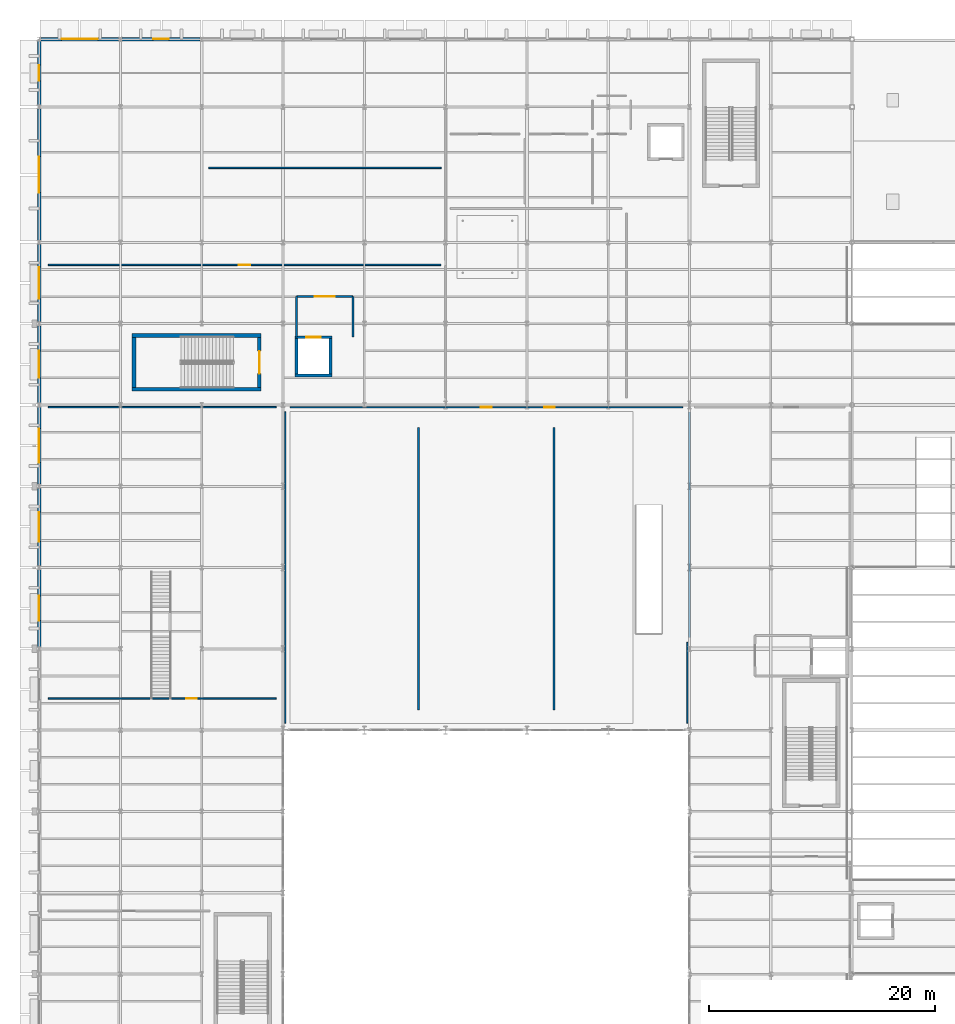
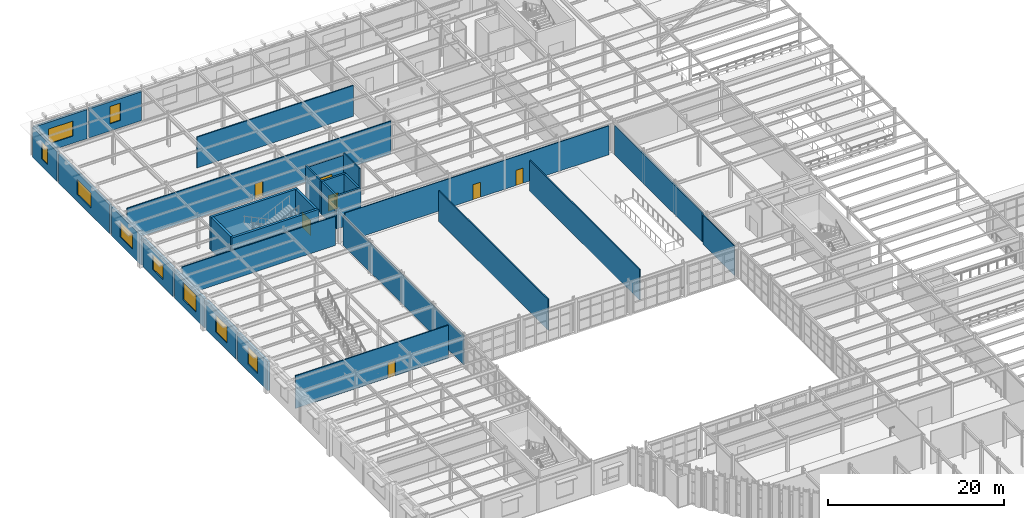
# One storey, part 106 of 126: 30 walls, 9 windows, 7 doors, 16 openings.
"""IFC4 building model written with IfcOpenShell, lengths in metres."""

import ifcopenshell
import ifcopenshell.guid

model = None  # the IFC model being written
_history = None  # IfcOwnerHistory: only IFC2X3 demands one
_inside = {}  # id of a spatial element -> (the spatial element, [elements in it])
_under = {}  # id of a project, library or spatial element -> (it, [spatial elements below it])
_declared = {}  # id of a project -> (the project, [libraries it declares])
_typed = {}  # id of a type object -> (the type object, [elements of that type])
_made_of = {}  # id of a material, layer set ... -> (it, [elements and type objects made of it])


def new_model(schema):
    """Start an empty IFC model of exactly this schema.

    Asked for "IFC4X3", IfcOpenShell would pick the latest addendum, in which some entities
    have other attributes; the version numbers below select the first issue.
    IFC2X3 requires an IfcOwnerHistory on every rooted entity: one is made here for all.
    """
    global model, _history
    if schema == "IFC4X3":
        model = ifcopenshell.file(schema_version=(4, 3, 0, 0))
    else:
        model = ifcopenshell.file(schema=schema)
    _inside.clear()
    _under.clear()
    _declared.clear()
    _typed.clear()
    _made_of.clear()
    _history = None
    if model.schema == "IFC2X3":
        org = make("IfcOrganization", Name="unknown")
        user = make(
            "IfcPersonAndOrganization",
            ThePerson=make("IfcPerson", FamilyName="unknown"),
            TheOrganization=org,
        )
        app = make(
            "IfcApplication",
            ApplicationDeveloper=org,
            Version="unknown",
            ApplicationFullName="unknown",
            ApplicationIdentifier="unknown",
        )
        _history = make(
            "IfcOwnerHistory",
            OwningUser=user,
            OwningApplication=app,
            ChangeAction="ADDED",
            CreationDate=0,
        )
    return model


def make(cls, **values):
    """One entity of the class cls with the attributes given. An attribute that is None is left unset."""
    return model.create_entity(
        cls, **{name: value for name, value in values.items() if value is not None}
    )


def rooted(cls, **values):
    """An entity with a GlobalId (a new one), such as an element, a storey or a relation."""
    return make(cls, GlobalId=ifcopenshell.guid.new(), OwnerHistory=_history, **values)


def si_unit(unit_type, name, prefix=None):
    """IfcSIUnit, for example si_unit("LENGTHUNIT", "METRE", prefix="MILLI")."""
    return make("IfcSIUnit", UnitType=unit_type, Prefix=prefix, Name=name)


def assignment(units):
    """IfcUnitAssignment: the units of a project."""
    return None if units is None else make("IfcUnitAssignment", Units=units)


def point(xyz):
    """IfcCartesianPoint."""
    return None if xyz is None else make("IfcCartesianPoint", Coordinates=xyz)


def direction(xyz):
    """IfcDirection."""
    return None if xyz is None else make("IfcDirection", DirectionRatios=xyz)


def frame(location, z_axis=None, x_axis=None):
    """IfcAxis2Placement3D, a coordinate frame: its origin and axes. An axis left out is left unset."""
    return make(
        "IfcAxis2Placement3D",
        Location=point(location),
        Axis=direction(z_axis),
        RefDirection=direction(x_axis),
    )


def frame_2d(location, x_axis=None):
    """IfcAxis2Placement2D, a coordinate frame in the plane: its origin and x axis."""
    return make(
        "IfcAxis2Placement2D", Location=point(location), RefDirection=direction(x_axis)
    )


def origin():
    """The frame at (0, 0, 0) with its axes left unset."""
    return frame((0.0, 0.0, 0.0))


def place(relative_to, where):
    """IfcLocalPlacement: puts the frame where relative to a parent placement (None: the world)."""
    return make(
        "IfcLocalPlacement", PlacementRelTo=relative_to, RelativePlacement=where
    )


def context(
    kind, dimensions, precision=None, world=None, true_north=None, identifier=None
):
    """IfcGeometricRepresentationContext, for example the 3D "Model" context."""
    return make(
        "IfcGeometricRepresentationContext",
        ContextIdentifier=identifier,
        ContextType=kind,
        CoordinateSpaceDimension=dimensions,
        Precision=precision,
        WorldCoordinateSystem=world,
        TrueNorth=true_north,
    )


def subcontext(parent, identifier, kind, view, scale=None):
    """IfcGeometricRepresentationSubContext, for example "Body" below "Model"."""
    return make(
        "IfcGeometricRepresentationSubContext",
        ContextIdentifier=identifier,
        ContextType=kind,
        ParentContext=parent,
        TargetScale=scale,
        TargetView=view,
    )


def project(units=None, contexts=None):
    """IfcProject with its units and contexts."""
    return rooted(
        "IfcProject",
        Name="project",
        RepresentationContexts=contexts,
        UnitsInContext=assignment(units),
    )


def spatial(cls, under=None, at=None, **own):
    """A site, building, storey or space (cls), placed at a placement, below another one or the project."""
    s = rooted(cls, ObjectPlacement=at, **own)
    if under is not None:
        _under.setdefault(under.id(), (under, []))[1].append(s)
    return s


def profile(cls, at=None, kind="AREA", **sizes):
    """A parametric profile (cls). Its sizes go by their IFC names, for example OverallWidth=200.0."""
    return make(cls, ProfileType=kind, Position=at, **sizes)


def rectangle(**sizes):
    """IfcRectangleProfileDef."""
    return profile("IfcRectangleProfileDef", **sizes)


def extrude(swept, where, along, depth):
    """IfcExtrudedAreaSolid: the profile swept, set in the frame where, extruded along a direction by depth."""
    return make(
        "IfcExtrudedAreaSolid",
        SweptArea=swept,
        Position=where,
        ExtrudedDirection=direction(along),
        Depth=depth,
    )


def shape(context_of_items, identifier, shape_type, items):
    """IfcShapeRepresentation: the items that make up one representation, for example the "Body"."""
    return make(
        "IfcShapeRepresentation",
        ContextOfItems=context_of_items,
        RepresentationIdentifier=identifier,
        RepresentationType=shape_type,
        Items=items,
    )


def material(Name=None, Category=None):
    """IfcMaterial."""
    return make("IfcMaterial", Name=Name, Category=Category)


def layer(
    of_material, thickness, ventilated=None, Name=None, Category=None, Priority=None
):
    """IfcMaterialLayer: one layer of a wall or slab, of a material (None: an air gap)."""
    return make(
        "IfcMaterialLayer",
        Material=of_material,
        LayerThickness=thickness,
        IsVentilated=ventilated,
        Name=Name,
        Category=Category,
        Priority=Priority,
    )


def layer_set(layers, Name=None):
    """IfcMaterialLayerSet."""
    return make("IfcMaterialLayerSet", MaterialLayers=layers, LayerSetName=Name)


def made_of(thing, what):
    """Note that an element or type object is made of a material, layer set ...; save() writes the relation."""
    if what is not None:
        _made_of.setdefault(what.id(), (what, []))[1].append(thing)
    return thing


def type_object(cls, material=None, **own):
    """A type object (cls), such as IfcWallType, which elements share."""
    return made_of(rooted(cls, **own), material)


def element(
    cls,
    number,
    at=None,
    inside=None,
    cuts=None,
    type_object=None,
    material=None,
    context=None,
    identifier="Body",
    shape_type=None,
    held_by="IfcProductDefinitionShape",
    body=None,
    shapes=None,
    **own,
):
    """One element of the class cls, such as IfcWall. Its Tag is "e" and its number.

    at: its placement. inside: the storey or other place that contains it. cuts: it is an
    opening in that element (IfcRelVoidsElement). A single representation is given by context,
    identifier, shape_type and body (its items); several are given by shapes. held_by: the class
    of the entity that holds the representations. save() writes the other relations.
    """
    e = rooted(cls, Tag="e%d" % number, ObjectPlacement=at, **own)
    if body is not None:
        shapes = [shape(context, identifier, shape_type, body)]
    if shapes is not None:
        e.Representation = make(held_by, Representations=shapes)
    if inside is not None:
        _inside.setdefault(inside.id(), (inside, []))[1].append(e)
    if cuts is not None:
        rooted(
            "IfcRelVoidsElement", RelatingBuildingElement=cuts, RelatedOpeningElement=e
        )
    if type_object is not None:
        _typed.setdefault(type_object.id(), (type_object, []))[1].append(e)
    return made_of(e, material)


def fill(opening, filler):
    """IfcRelFillsElement: the door or window that sits in an opening."""
    return rooted(
        "IfcRelFillsElement",
        RelatingOpeningElement=opening,
        RelatedBuildingElement=filler,
    )


def aggregate(whole, parts):
    """IfcRelAggregates: a whole, such as a stair, and the parts it consists of."""
    return rooted("IfcRelAggregates", RelatingObject=whole, RelatedObjects=parts)


def save(model, path):
    """Write the relations noted so far, then the file.

    IfcRelAggregates (storeys below a building ...), IfcRelContainedInSpatialStructure (elements
    in a storey), IfcRelDefinesByType, IfcRelAssociatesMaterial and IfcRelDeclares: one each for
    every whole, place, type object, material and project.
    """
    for whole, parts in _under.values():
        aggregate(whole, parts)
    for where, things in _inside.values():
        rooted(
            "IfcRelContainedInSpatialStructure",
            RelatedElements=things,
            RelatingStructure=where,
        )
    for kind, things in _typed.values():
        rooted("IfcRelDefinesByType", RelatedObjects=things, RelatingType=kind)
    for what, things in _made_of.values():
        rooted("IfcRelAssociatesMaterial", RelatedObjects=things, RelatingMaterial=what)
    for by, libraries in _declared.values():
        rooted("IfcRelDeclares", RelatingContext=by, RelatedDefinitions=libraries)
    model.write(path)


model = new_model("IFC4")

# Units and contexts
model_context = context("Model", 3, precision=1e-05, world=origin(), true_north=direction((0.0, 1.0)))
body_context = subcontext(model_context, "Body", "Model", "MODEL_VIEW")
ifc_project = project(units=[si_unit("LENGTHUNIT", "METRE"), si_unit("AREAUNIT", "SQUARE_METRE"), si_unit("VOLUMEUNIT", "CUBIC_METRE"), si_unit("PLANEANGLEUNIT", "RADIAN"), si_unit("MASSUNIT", "GRAM", prefix="KILO")], contexts=[model_context])

# Site, building, storey
site_placement = place(None, origin())
site = spatial("IfcSite", under=ifc_project, at=site_placement, CompositionType="ELEMENT")
building_placement = place(site_placement, origin())
building = spatial("IfcBuilding", under=site, at=building_placement, Name="Solvadek Multi-Sports Hall", CompositionType="ELEMENT")
storey_placement = place(building_placement, frame((0.0, 0.0, 9.60009765625)))
storey = spatial("IfcBuildingStorey", under=building, at=storey_placement, Name="L02", CompositionType="ELEMENT", Elevation=9.60009765625)

# Wall, opening, window
ifc_material_1 = material(Name="Dressed honey-cream limestone ashlar", Category="masonry")
ifc_layer_1 = layer(ifc_material_1, 0.300048828125, Name="Dressed honey-cream limestone ashlar")
ifc_layer_set_1 = layer_set([ifc_layer_1], Name="Dressed honey-cream limestone ashlar")
wall_type_1 = type_object("IfcWallType", Name="ENV-WAL-EXT300", PredefinedType="SOLIDWALL", material=ifc_layer_set_1)
wall_1_placement = place(storey_placement, frame((0.0, 56.583984375, 0.0), z_axis=(0.0, 0.0, 1.0), x_axis=(0.0, 1.0, 0.0)))
wall_1 = element("IfcWall", 1, at=wall_1_placement, inside=storey, type_object=wall_type_1, Name="L02 Exterior Masonry Wall #146", PredefinedType="SOLIDWALL", context=body_context, shape_type="SweptSolid", body=[
    extrude(rectangle(XDim=6.83203125, YDim=0.300048828125, at=frame_2d((3.416015625, 0.0))), origin(), (0.0, 0.0, 1.0), 4.044921875),
])
opening_1_placement = place(wall_1_placement, frame((2.31591796875, 0.0, 1.0)))
opening_1 = element("IfcOpeningElement", 2, at=opening_1_placement, cuts=wall_1, Name="Opening WN-18", PredefinedType="OPENING", context=body_context, shape_type="SweptSolid", body=[
    extrude(rectangle(XDim=2.199951171875, YDim=2.39990234375, at=frame_2d((1.10009765625, 1.199951171875))), frame((0.0, 0.159912109375, 0.0), z_axis=(0.0, -1.0, 0.0), x_axis=(1.0, 0.0, 0.0)), (0.0, 0.0, 1.0), 0.320068359375),
])
ifc_material_2 = material(Name="Tempered laminated low-E glass", Category="glass")
window_type_1 = type_object("IfcWindowType", Name="ENV-WIN-WN-18", PartitioningType="SINGLE_PANEL", PredefinedType="WINDOW", material=ifc_material_2)
window_1_placement = place(opening_1_placement, origin())
window_1 = element("IfcWindow", 3, at=window_1_placement, inside=storey, type_object=window_type_1, Name="L02 Facade Window WN-18 #35", OverallHeight=2.39990234375, OverallWidth=2.199951171875, PartitioningType="SINGLE_PANEL", PredefinedType="WINDOW", context=body_context, shape_type="SweptSolid", body=[
    extrude(rectangle(XDim=2.199951171875, YDim=2.39990234375, at=frame_2d((1.10009765625, 1.199951171875))), frame((0.0, 0.030029296875, 0.0), z_axis=(0.0, -1.0, 0.0), x_axis=(1.0, 0.0, 0.0)), (0.0, 0.0, 1.0), 0.06005859375),
])
fill(opening_1, window_1)

wall_2_placement = place(storey_placement, frame((0.0, 63.783935546875, 0.0), z_axis=(0.0, 0.0, 1.0), x_axis=(0.0, 1.0, 0.0)))
wall_2 = element("IfcWall", 4, at=wall_2_placement, inside=storey, type_object=wall_type_1, Name="L02 Exterior Masonry Wall #149", PredefinedType="SOLIDWALL", context=body_context, shape_type="SweptSolid", body=[
    extrude(rectangle(XDim=6.83203125, YDim=0.300048828125, at=frame_2d((3.416015625, 0.0))), origin(), (0.0, 0.0, 1.0), 4.14501953125),
])
opening_2_placement = place(wall_2_placement, frame((2.115966796875, 0.0, 1.0)))
opening_2 = element("IfcOpeningElement", 5, at=opening_2_placement, cuts=wall_2, Name="Opening WN-19", PredefinedType="OPENING", context=body_context, shape_type="SweptSolid", body=[
    extrude(rectangle(XDim=2.60009765625, YDim=2.39990234375, at=frame_2d((1.300048828125, 1.199951171875))), frame((0.0, 0.159912109375, 0.0), z_axis=(0.0, -1.0, 0.0), x_axis=(1.0, 0.0, 0.0)), (0.0, 0.0, 1.0), 0.320068359375),
])
window_type_2 = type_object("IfcWindowType", Name="ENV-WIN-WN-19", PartitioningType="SINGLE_PANEL", PredefinedType="WINDOW", material=ifc_material_2)
window_2_placement = place(opening_2_placement, origin())
window_2 = element("IfcWindow", 6, at=window_2_placement, inside=storey, type_object=window_type_2, Name="L02 Facade Window WN-19 #38", OverallHeight=2.39990234375, OverallWidth=2.60009765625, PartitioningType="SINGLE_PANEL", PredefinedType="WINDOW", context=body_context, shape_type="SweptSolid", body=[
    extrude(rectangle(XDim=2.60009765625, YDim=2.39990234375, at=frame_2d((1.300048828125, 1.199951171875))), frame((0.0, 0.030029296875, 0.0), z_axis=(0.0, -1.0, 0.0), x_axis=(1.0, 0.0, 0.0)), (0.0, 0.0, 1.0), 0.06005859375),
])
fill(opening_2, window_2)

wall_3_placement = place(storey_placement, frame((0.0, 70.98388671875, 0.0), z_axis=(0.0, 0.0, 1.0), x_axis=(0.0, 1.0, 0.0)))
wall_3 = element("IfcWall", 7, at=wall_3_placement, inside=storey, type_object=wall_type_1, Name="L02 Exterior Masonry Wall #152", PredefinedType="SOLIDWALL", context=body_context, shape_type="SweptSolid", body=[
    extrude(rectangle(XDim=6.83203125, YDim=0.300048828125, at=frame_2d((3.416015625, 0.0))), origin(), (0.0, 0.0, 1.0), 4.044921875),
])
opening_3_placement = place(wall_3_placement, frame((1.916015625, 0.0, 1.0)))
opening_3 = element("IfcOpeningElement", 8, at=opening_3_placement, cuts=wall_3, Name="Opening WN-20", PredefinedType="OPENING", context=body_context, shape_type="SweptSolid", body=[
    extrude(rectangle(XDim=3.0, YDim=2.39990234375, at=frame_2d((1.5, 1.199951171875))), frame((0.0, 0.159912109375, 0.0), z_axis=(0.0, -1.0, 0.0), x_axis=(1.0, 0.0, 0.0)), (0.0, 0.0, 1.0), 0.320068359375),
])
window_type_3 = type_object("IfcWindowType", Name="ENV-WIN-WN-20", PartitioningType="SINGLE_PANEL", PredefinedType="WINDOW", material=ifc_material_2)
window_3_placement = place(opening_3_placement, origin())
window_3 = element("IfcWindow", 9, at=window_3_placement, inside=storey, type_object=window_type_3, Name="L02 Facade Window WN-20 #41", OverallHeight=2.39990234375, OverallWidth=3.0, PartitioningType="SINGLE_PANEL", PredefinedType="WINDOW", context=body_context, shape_type="SweptSolid", body=[
    extrude(rectangle(XDim=3.0, YDim=2.39990234375, at=frame_2d((1.5, 1.199951171875))), frame((0.0, 0.030029296875, 0.0), z_axis=(0.0, -1.0, 0.0), x_axis=(1.0, 0.0, 0.0)), (0.0, 0.0, 1.0), 0.06005859375),
])
fill(opening_3, window_3)

wall_4_placement = place(storey_placement, frame((0.0, 78.18408203125, 0.0), z_axis=(0.0, 0.0, 1.0), x_axis=(0.0, 1.0, 0.0)))
wall_4 = element("IfcWall", 10, at=wall_4_placement, inside=storey, type_object=wall_type_1, Name="L02 Exterior Masonry Wall #155", PredefinedType="SOLIDWALL", context=body_context, shape_type="SweptSolid", body=[
    extrude(rectangle(XDim=6.83203125, YDim=0.300048828125, at=frame_2d((3.416015625, 0.0))), origin(), (0.0, 0.0, 1.0), 4.044921875),
])
opening_4_placement = place(wall_4_placement, frame((2.216064453125, 0.0, 1.0)))
opening_4 = element("IfcOpeningElement", 11, at=opening_4_placement, cuts=wall_4, Name="Opening WN-13", PredefinedType="OPENING", context=body_context, shape_type="SweptSolid", body=[
    extrude(rectangle(XDim=2.39990234375, YDim=2.10009765625, at=frame_2d((1.199951171875, 1.050048828125))), frame((0.0, 0.159912109375, 0.0), z_axis=(0.0, -1.0, 0.0), x_axis=(1.0, 0.0, 0.0)), (0.0, 0.0, 1.0), 0.320068359375),
])
window_type_4 = type_object("IfcWindowType", Name="ENV-WIN-WN-13", PartitioningType="SINGLE_PANEL", PredefinedType="WINDOW", material=ifc_material_2)
window_4_placement = place(opening_4_placement, origin())
window_4 = element("IfcWindow", 12, at=window_4_placement, inside=storey, type_object=window_type_4, Name="L02 Facade Window WN-13 #44", OverallHeight=2.10009765625, OverallWidth=2.39990234375, PartitioningType="SINGLE_PANEL", PredefinedType="WINDOW", context=body_context, shape_type="SweptSolid", body=[
    extrude(rectangle(XDim=2.39990234375, YDim=2.10009765625, at=frame_2d((1.199951171875, 1.050048828125))), frame((0.0, 0.030029296875, 0.0), z_axis=(0.0, -1.0, 0.0), x_axis=(1.0, 0.0, 0.0)), (0.0, 0.0, 1.0), 0.06005859375),
])
fill(opening_4, window_4)

wall_5_placement = place(storey_placement, frame((0.0, 85.384033203125, 0.0), z_axis=(0.0, 0.0, 1.0), x_axis=(0.0, 1.0, 0.0)))
wall_5 = element("IfcWall", 13, at=wall_5_placement, inside=storey, type_object=wall_type_1, Name="L02 Exterior Masonry Wall #158", PredefinedType="SOLIDWALL", context=body_context, shape_type="SweptSolid", body=[
    extrude(rectangle(XDim=6.83203125, YDim=0.300048828125, at=frame_2d((3.416015625, 0.0))), origin(), (0.0, 0.0, 1.0), 4.044921875),
])
opening_5_placement = place(wall_5_placement, frame((2.01611328125, 0.0, 1.0)))
opening_5 = element("IfcOpeningElement", 14, at=opening_5_placement, cuts=wall_5, Name="Opening WN-14", PredefinedType="OPENING", context=body_context, shape_type="SweptSolid", body=[
    extrude(rectangle(XDim=2.800048828125, YDim=2.10009765625, at=frame_2d((1.39990234375, 1.050048828125))), frame((0.0, 0.159912109375, 0.0), z_axis=(0.0, -1.0, 0.0), x_axis=(1.0, 0.0, 0.0)), (0.0, 0.0, 1.0), 0.320068359375),
])
window_type_5 = type_object("IfcWindowType", Name="ENV-WIN-WN-14", PartitioningType="SINGLE_PANEL", PredefinedType="WINDOW", material=ifc_material_2)
window_5_placement = place(opening_5_placement, origin())
window_5 = element("IfcWindow", 15, at=window_5_placement, inside=storey, type_object=window_type_5, Name="L02 Facade Window WN-14 #47", OverallHeight=2.10009765625, OverallWidth=2.800048828125, PartitioningType="SINGLE_PANEL", PredefinedType="WINDOW", context=body_context, shape_type="SweptSolid", body=[
    extrude(rectangle(XDim=2.800048828125, YDim=2.10009765625, at=frame_2d((1.39990234375, 1.050048828125))), frame((0.0, 0.030029296875, 0.0), z_axis=(0.0, -1.0, 0.0), x_axis=(1.0, 0.0, 0.0)), (0.0, 0.0, 1.0), 0.06005859375),
])
fill(opening_5, window_5)

wall_6_placement = place(storey_placement, frame((0.0, 92.583984375, 0.0), z_axis=(0.0, 0.0, 1.0), x_axis=(0.0, 1.0, 0.0)))
wall_6 = element("IfcWall", 16, at=wall_6_placement, inside=storey, type_object=wall_type_1, Name="L02 Exterior Masonry Wall #161", PredefinedType="SOLIDWALL", context=body_context, shape_type="SweptSolid", body=[
    extrude(rectangle(XDim=11.632080078125, YDim=0.300048828125, at=frame_2d((5.81591796875, 0.0))), origin(), (0.0, 0.0, 1.0), 4.044921875),
])
opening_6_placement = place(wall_6_placement, frame((4.216064453125, 0.0, 1.0)))
opening_6 = element("IfcOpeningElement", 17, at=opening_6_placement, cuts=wall_6, Name="Opening WN-15", PredefinedType="OPENING", context=body_context, shape_type="SweptSolid", body=[
    extrude(rectangle(XDim=3.199951171875, YDim=2.10009765625, at=frame_2d((1.60009765625, 1.050048828125))), frame((0.0, 0.159912109375, 0.0), z_axis=(0.0, -1.0, 0.0), x_axis=(1.0, 0.0, 0.0)), (0.0, 0.0, 1.0), 0.320068359375),
])
window_type_6 = type_object("IfcWindowType", Name="ENV-WIN-WN-15", PartitioningType="SINGLE_PANEL", PredefinedType="WINDOW", material=ifc_material_2)
window_6_placement = place(opening_6_placement, origin())
window_6 = element("IfcWindow", 18, at=window_6_placement, inside=storey, type_object=window_type_6, Name="L02 Facade Window WN-15 #49", OverallHeight=2.10009765625, OverallWidth=3.199951171875, PartitioningType="SINGLE_PANEL", PredefinedType="WINDOW", context=body_context, shape_type="SweptSolid", body=[
    extrude(rectangle(XDim=3.199951171875, YDim=2.10009765625, at=frame_2d((1.60009765625, 1.050048828125))), frame((0.0, 0.030029296875, 0.0), z_axis=(0.0, -1.0, 0.0), x_axis=(1.0, 0.0, 0.0)), (0.0, 0.0, 1.0), 0.06005859375),
])
fill(opening_6, window_6)

wall_7_placement = place(storey_placement, frame((0.0, 104.583984375, 0.0), z_axis=(0.0, 0.0, 1.0), x_axis=(0.0, 1.0, 0.0)))
wall_7 = element("IfcWall", 19, at=wall_7_placement, inside=storey, type_object=wall_type_1, Name="L02 Exterior Masonry Wall #164", PredefinedType="SOLIDWALL", context=body_context, shape_type="SweptSolid", body=[
    extrude(rectangle(XDim=5.632080078125, YDim=0.300048828125, at=frame_2d((2.81591796875, 0.0))), origin(), (0.0, 0.0, 1.0), 4.14501953125),
])
opening_7_placement = place(wall_7_placement, frame((2.115966796875, 0.0, 1.0)))
opening_7 = element("IfcOpeningElement", 20, at=opening_7_placement, cuts=wall_7, Name="Opening WN-16", PredefinedType="OPENING", context=body_context, shape_type="SweptSolid", body=[
    extrude(rectangle(XDim=1.39990234375, YDim=2.39990234375, at=frame_2d((0.699951171875, 1.199951171875))), frame((0.0, 0.159912109375, 0.0), z_axis=(0.0, -1.0, 0.0), x_axis=(1.0, 0.0, 0.0)), (0.0, 0.0, 1.0), 0.320068359375),
])
window_type_7 = type_object("IfcWindowType", Name="ENV-WIN-WN-16", PartitioningType="SINGLE_PANEL", PredefinedType="WINDOW", material=ifc_material_2)
window_7_placement = place(opening_7_placement, origin())
window_7 = element("IfcWindow", 21, at=window_7_placement, inside=storey, type_object=window_type_7, Name="L02 Facade Window WN-16 #52", OverallHeight=2.39990234375, OverallWidth=1.39990234375, PartitioningType="SINGLE_PANEL", PredefinedType="WINDOW", context=body_context, shape_type="SweptSolid", body=[
    extrude(rectangle(XDim=1.39990234375, YDim=2.39990234375, at=frame_2d((0.699951171875, 1.199951171875))), frame((0.0, 0.030029296875, 0.0), z_axis=(0.0, -1.0, 0.0), x_axis=(1.0, 0.0, 0.0)), (0.0, 0.0, 1.0), 0.06005859375),
])
fill(opening_7, window_7)

wall_8_placement = place(storey_placement, frame((0.154052734375, 110.39990234375, 0.0), z_axis=(0.0, 0.0, 1.0), x_axis=(1.0, 0.0, 0.0)))
wall_8 = element("IfcWall", 22, at=wall_8_placement, inside=storey, type_object=wall_type_1, Name="L02 Exterior Masonry Wall #167", PredefinedType="SOLIDWALL", context=body_context, shape_type="SweptSolid", body=[
    extrude(rectangle(XDim=6.891845703125, YDim=0.300048828125, at=frame_2d((3.44580078125, 0.0))), origin(), (0.0, 0.0, 1.0), 4.044921875),
])
opening_8_placement = place(wall_8_placement, frame((1.845947265625, 0.0, 1.0)))
opening_8 = element("IfcOpeningElement", 23, at=opening_8_placement, cuts=wall_8, Name="Opening WN-15", PredefinedType="OPENING", context=body_context, shape_type="SweptSolid", body=[
    extrude(rectangle(XDim=3.199951171875, YDim=2.10009765625, at=frame_2d((1.60009765625, 1.050048828125))), frame((0.0, 0.159912109375, 0.0), z_axis=(0.0, -1.0, 0.0), x_axis=(1.0, 0.0, 0.0)), (0.0, 0.0, 1.0), 0.320068359375),
])
window_8_placement = place(opening_8_placement, origin())
window_8 = element("IfcWindow", 24, at=window_8_placement, inside=storey, type_object=window_type_6, Name="L02 Facade Window WN-15 #54", OverallHeight=2.10009765625, OverallWidth=3.199951171875, PartitioningType="SINGLE_PANEL", PredefinedType="WINDOW", context=body_context, shape_type="SweptSolid", body=[
    extrude(rectangle(XDim=3.199951171875, YDim=2.10009765625, at=frame_2d((1.60009765625, 1.050048828125))), frame((0.0, 0.030029296875, 0.0), z_axis=(0.0, -1.0, 0.0), x_axis=(1.0, 0.0, 0.0)), (0.0, 0.0, 1.0), 0.06005859375),
])
fill(opening_8, window_8)

wall_9_placement = place(storey_placement, frame((7.35400390625, 110.39990234375, 0.0), z_axis=(0.0, 0.0, 1.0), x_axis=(1.0, 0.0, 0.0)))
wall_9 = element("IfcWall", 25, at=wall_9_placement, inside=storey, type_object=wall_type_1, Name="L02 Exterior Masonry Wall #170", PredefinedType="SOLIDWALL", context=body_context, shape_type="SweptSolid", body=[
    extrude(rectangle(XDim=6.89208984375, YDim=0.300048828125, at=frame_2d((3.446044921875, 0.0))), origin(), (0.0, 0.0, 1.0), 4.044921875),
])
opening_9_placement = place(wall_9_placement, frame((2.74609375, 0.0, 1.0)))
opening_9 = element("IfcOpeningElement", 26, at=opening_9_placement, cuts=wall_9, Name="Opening WN-16", PredefinedType="OPENING", context=body_context, shape_type="SweptSolid", body=[
    extrude(rectangle(XDim=1.39990234375, YDim=2.39990234375, at=frame_2d((0.699951171875, 1.199951171875))), frame((0.0, 0.159912109375, 0.0), z_axis=(0.0, -1.0, 0.0), x_axis=(1.0, 0.0, 0.0)), (0.0, 0.0, 1.0), 0.320068359375),
])
window_9_placement = place(opening_9_placement, origin())
window_9 = element("IfcWindow", 27, at=window_9_placement, inside=storey, type_object=window_type_7, Name="L02 Facade Window WN-16 #57", OverallHeight=2.39990234375, OverallWidth=1.39990234375, PartitioningType="SINGLE_PANEL", PredefinedType="WINDOW", context=body_context, shape_type="SweptSolid", body=[
    extrude(rectangle(XDim=1.39990234375, YDim=2.39990234375, at=frame_2d((0.699951171875, 1.199951171875))), frame((0.0, 0.030029296875, 0.0), z_axis=(0.0, -1.0, 0.0), x_axis=(1.0, 0.0, 0.0)), (0.0, 0.0, 1.0), 0.06005859375),
])
fill(opening_9, window_9)

# Walls
ifc_material_3 = material(Name="Teak hardwood timber", Category="wood")
ifc_layer_2 = layer(ifc_material_3, 0.14990234375, Name="Teak hardwood timber")
ifc_layer_set_2 = layer_set([ifc_layer_2], Name="Teak hardwood timber")
wall_type_2 = type_object("IfcWallType", Name="INT-WAL-MOV150", PredefinedType="MOVABLE", material=ifc_layer_set_2)
wall_10_placement = place(storey_placement, frame((15.0, 99.0, 0.0), z_axis=(0.0, 0.0, 1.0), x_axis=(1.0, 0.0, 0.0)))
element("IfcWall", 28, at=wall_10_placement, inside=storey, type_object=wall_type_2, Name="L02 Movable Acoustic Hall Partition #3", PredefinedType="MOVABLE", context=body_context, shape_type="SweptSolid", body=[
    extrude(rectangle(XDim=20.60009765625, YDim=0.14990234375, at=frame_2d((10.300048828125, 0.0))), origin(), (0.0, 0.0, 1.0), 4.284912109375),
])
for number, where, z_axis, x_axis, name in (
    (29, (33.60009765625, 51.0, 0.0), (0.0, 0.0, 1.0), (0.0, 1.0, 0.0), "L02 Movable Acoustic Hall Partition #4"),
    (30, (45.60009765625, 51.0, 0.0), (0.0, 0.0, 1.0), (0.0, 1.0, 0.0), "L02 Movable Acoustic Hall Partition #5"),
):
    element("IfcWall", number, at=place(storey_placement, frame(where, z_axis=z_axis, x_axis=x_axis)), inside=storey, type_object=wall_type_2, Name=name, PredefinedType="MOVABLE", context=body_context, shape_type="SweptSolid", body=[
        extrude(rectangle(XDim=25.0, YDim=0.14990234375, at=frame_2d((12.5, 0.0))), origin(), (0.0, 0.0, 1.0), 4.284912109375),
    ])

# Wall, openings, doors
ifc_material_4 = material(Name="Autoclaved aerated concrete blockwork", Category="masonry")
ifc_layer_3 = layer(ifc_material_4, 0.10498046875, Name="Autoclaved aerated concrete blockwork")
ifc_layer_set_3 = layer_set([ifc_layer_3], Name="Autoclaved aerated concrete blockwork")
wall_type_3 = type_object("IfcWallType", Name="INT-WAL-PRT105", PredefinedType="PARTITIONING", material=ifc_layer_set_3)
wall_11_placement = place(storey_placement, frame((22.219970703125, 77.800048828125, 0.0), z_axis=(0.0, 0.0, 1.0), x_axis=(1.0, 0.0, 0.0)))
wall_11 = element("IfcWall", 31, at=wall_11_placement, inside=storey, type_object=wall_type_3, Name="L02 Partition Wall L02-01 N", PredefinedType="PARTITIONING", context=body_context, shape_type="SweptSolid", body=[
    extrude(rectangle(XDim=34.760009765625, YDim=0.10498046875, at=frame_2d((17.3798828125, 0.0))), origin(), (0.0, 0.0, 1.0), 4.039794921875),
])
opening_10_placement = place(wall_11_placement, frame((16.8798828125, 0.0, 0.0)))
opening_10 = element("IfcOpeningElement", 32, at=opening_10_placement, cuts=wall_11, Name="Opening D-01", PredefinedType="OPENING", context=body_context, shape_type="SweptSolid", body=[
    extrude(rectangle(XDim=1.0, YDim=2.10009765625, at=frame_2d((0.5, 1.050048828125))), frame((0.0, 0.0625, 0.0), z_axis=(0.0, -1.0, 0.0), x_axis=(1.0, 0.0, 0.0)), (0.0, 0.0, 1.0), 0.125),
])
opening_11_placement = place(wall_11_placement, frame((22.5048828125, 0.0, 0.0)))
opening_11 = element("IfcOpeningElement", 33, at=opening_11_placement, cuts=wall_11, Name="Opening D-02", PredefinedType="OPENING", context=body_context, shape_type="SweptSolid", body=[
    extrude(rectangle(XDim=0.949951171875, YDim=2.10009765625, at=frame_2d((0.47509765625, 1.050048828125))), frame((0.0, 0.0625, 0.0), z_axis=(0.0, -1.0, 0.0), x_axis=(1.0, 0.0, 0.0)), (0.0, 0.0, 1.0), 0.125),
])
door_type_1 = type_object("IfcDoorType", Name="INT-DOR-RM095X210", OperationType="NOTDEFINED", PredefinedType="DOOR", material=ifc_material_3)
door_1_placement = place(opening_11_placement, origin())
door_1 = element("IfcDoor", 34, at=door_1_placement, inside=storey, type_object=door_type_1, Name="L02 L02-08 Door #53", OperationType="SINGLE_SWING_RIGHT", OverallHeight=2.10009765625, OverallWidth=0.949951171875, PredefinedType="DOOR", context=body_context, shape_type="SweptSolid", body=[
    extrude(rectangle(XDim=0.949951171875, YDim=2.10009765625, at=frame_2d((0.47509765625, 1.050048828125))), frame((0.0, 0.02490234375, 0.0), z_axis=(0.0, -1.0, 0.0), x_axis=(1.0, 0.0, 0.0)), (0.0, 0.0, 1.0), 0.050048828125),
])
fill(opening_11, door_1)
door_type_2 = type_object("IfcDoorType", Name="INT-DOR-RM100X210", OperationType="NOTDEFINED", PredefinedType="DOOR", material=ifc_material_3)
door_2_placement = place(opening_10_placement, frame((1.0, 0.0, 0.0), z_axis=(0.0, 0.0, 1.0), x_axis=(-1.0, 0.0, 0.0)))
door_2 = element("IfcDoor", 35, at=door_2_placement, inside=storey, type_object=door_type_2, Name="L02 L02-01 Door #48", OperationType="SINGLE_SWING_LEFT", OverallHeight=2.10009765625, OverallWidth=1.0, PredefinedType="DOOR", context=body_context, shape_type="SweptSolid", body=[
    extrude(rectangle(XDim=1.0, YDim=2.10009765625, at=frame_2d((0.5, 1.050048828125))), frame((0.0, 0.02490234375, 0.0), z_axis=(0.0, -1.0, 0.0), x_axis=(1.0, 0.0, 0.0)), (0.0, 0.0, 1.0), 0.050048828125),
])
fill(opening_10, door_2)

# Walls
wall_12_placement = place(storey_placement, frame((21.800048828125, 49.820068359375, 0.0), z_axis=(0.0, 0.0, 1.0), x_axis=(0.0, 1.0, 0.0)))
element("IfcWall", 36, at=wall_12_placement, inside=storey, type_object=wall_type_3, Name="L02 Partition Wall L02-01 W", PredefinedType="PARTITIONING", context=body_context, shape_type="SweptSolid", body=[
    extrude(rectangle(XDim=27.559814453125, YDim=0.10498046875, at=frame_2d((13.77978515625, 0.0))), origin(), (0.0, 0.0, 1.0), 4.08984375),
])
wall_13_placement = place(storey_placement, frame((57.39990234375, 49.820068359375, 0.0), z_axis=(0.0, 0.0, 1.0), x_axis=(0.0, 1.0, 0.0)))
element("IfcWall", 37, at=wall_13_placement, inside=storey, type_object=wall_type_3, Name="L02 Partition Wall L02-01 E", PredefinedType="PARTITIONING", context=body_context, shape_type="SweptSolid", body=[
    extrude(rectangle(XDim=7.164306640625, YDim=0.10498046875, at=frame_2d((3.58203125, 0.0))), origin(), (0.0, 0.0, 1.0), 4.08984375),
])

# Wall, opening, door
ifc_layer_4 = layer(ifc_material_4, 0.135009765625, Name="Autoclaved aerated concrete blockwork")
ifc_layer_set_4 = layer_set([ifc_layer_4], Name="Autoclaved aerated concrete blockwork")
wall_type_4 = type_object("IfcWallType", Name="INT-WAL-PRT135", PredefinedType="PARTITIONING", material=ifc_layer_set_4)
wall_14_placement = place(storey_placement, frame((0.820068359375, 52.0, 0.0), z_axis=(0.0, 0.0, 1.0), x_axis=(1.0, 0.0, 0.0)))
wall_14 = element("IfcWall", 38, at=wall_14_placement, inside=storey, type_object=wall_type_4, Name="L02 Partition Wall L02-03 N", PredefinedType="PARTITIONING", context=body_context, shape_type="SweptSolid", body=[
    extrude(rectangle(XDim=20.159912109375, YDim=0.135009765625, at=frame_2d((10.080078125, 0.0))), origin(), (0.0, 0.0, 1.0), 4.544921875),
])
opening_12_placement = place(wall_14_placement, frame((12.205078125, 0.0, 0.0)))
opening_12 = element("IfcOpeningElement", 39, at=opening_12_placement, cuts=wall_14, Name="Opening D-02", PredefinedType="OPENING", context=body_context, shape_type="SweptSolid", body=[
    extrude(rectangle(XDim=0.949951171875, YDim=2.10009765625, at=frame_2d((0.47509765625, 1.050048828125))), frame((0.0, 0.077392578125, 0.0), z_axis=(0.0, -1.0, 0.0), x_axis=(1.0, 0.0, 0.0)), (0.0, 0.0, 1.0), 0.155029296875),
])
door_3_placement = place(opening_12_placement, origin())
door_3 = element("IfcDoor", 40, at=door_3_placement, inside=storey, type_object=door_type_1, Name="L02 L02-04 Door #51", OperationType="SINGLE_SWING_RIGHT", OverallHeight=2.10009765625, OverallWidth=0.949951171875, PredefinedType="DOOR", context=body_context, shape_type="SweptSolid", body=[
    extrude(rectangle(XDim=0.949951171875, YDim=2.10009765625, at=frame_2d((0.47509765625, 1.050048828125))), frame((0.0, 0.02490234375, 0.0), z_axis=(0.0, -1.0, 0.0), x_axis=(1.0, 0.0, 0.0)), (0.0, 0.0, 1.0), 0.050048828125),
])
fill(opening_12, door_3)

# Wall
wall_15_placement = place(storey_placement, frame((0.820068359375, 77.800048828125, 0.0), z_axis=(0.0, 0.0, 1.0), x_axis=(1.0, 0.0, 0.0)))
element("IfcWall", 41, at=wall_15_placement, inside=storey, type_object=wall_type_4, Name="L02 Partition Wall L02-04 N", PredefinedType="PARTITIONING", context=body_context, shape_type="SweptSolid", body=[
    extrude(rectangle(XDim=20.159912109375, YDim=0.135009765625, at=frame_2d((10.080078125, 0.0))), origin(), (0.0, 0.0, 1.0), 4.039794921875),
])

# Wall, opening, door
wall_16_placement = place(storey_placement, frame((0.820068359375, 90.39990234375, 0.0), z_axis=(0.0, 0.0, 1.0), x_axis=(1.0, 0.0, 0.0)))
wall_16 = element("IfcWall", 42, at=wall_16_placement, inside=storey, type_object=wall_type_4, Name="L02 Partition Wall L02-07 S", PredefinedType="PARTITIONING", context=body_context, shape_type="SweptSolid", body=[
    extrude(rectangle(XDim=34.760009765625, YDim=0.135009765625, at=frame_2d((17.3798828125, 0.0))), origin(), (0.0, 0.0, 1.0), 4.544921875),
])
opening_13_placement = place(wall_16_placement, frame((16.8798828125, 0.0, 0.0)))
opening_13 = element("IfcOpeningElement", 43, at=opening_13_placement, cuts=wall_16, Name="Opening D-01", PredefinedType="OPENING", context=body_context, shape_type="SweptSolid", body=[
    extrude(rectangle(XDim=1.0, YDim=2.10009765625, at=frame_2d((0.5, 1.050048828125))), frame((0.0, 0.077392578125, 0.0), z_axis=(0.0, -1.0, 0.0), x_axis=(1.0, 0.0, 0.0)), (0.0, 0.0, 1.0), 0.155029296875),
])
door_4_placement = place(opening_13_placement, origin())
door_4 = element("IfcDoor", 44, at=door_4_placement, inside=storey, type_object=door_type_2, Name="L02 L02-07 Door #52", OperationType="SINGLE_SWING_LEFT", OverallHeight=2.10009765625, OverallWidth=1.0, PredefinedType="DOOR", context=body_context, shape_type="SweptSolid", body=[
    extrude(rectangle(XDim=1.0, YDim=2.10009765625, at=frame_2d((0.5, 1.050048828125))), frame((0.0, 0.02490234375, 0.0), z_axis=(0.0, -1.0, 0.0), x_axis=(1.0, 0.0, 0.0)), (0.0, 0.0, 1.0), 0.050048828125),
])
fill(opening_13, door_4)

ifc_layer_5 = layer(ifc_material_4, 0.179931640625, Name="Autoclaved aerated concrete blockwork")
ifc_layer_set_5 = layer_set([ifc_layer_5], Name="Autoclaved aerated concrete blockwork")
wall_type_5 = type_object("IfcWallType", Name="INT-WAL-PRT180", PredefinedType="PARTITIONING", material=ifc_layer_set_5)
wall_17_placement = place(storey_placement, frame((22.800048828125, 87.60009765625, 0.0), z_axis=(0.0, 0.0, 1.0), x_axis=(1.0, 0.0, 0.0)))
wall_17 = element("IfcWall", 45, at=wall_17_placement, inside=storey, type_object=wall_type_5, Name="L02 Firefighting Lobby LF-01 Rated Wall N", PredefinedType="PARTITIONING", context=body_context, shape_type="SweptSolid", body=[
    extrude(rectangle(XDim=5.0, YDim=0.179931640625, at=frame_2d((2.5, 0.0))), origin(), (0.0, 0.0, 1.0), 4.239990234375),
])
opening_14_placement = place(wall_17_placement, frame((1.60009765625, 0.0, 0.0)))
opening_14 = element("IfcOpeningElement", 46, at=opening_14_placement, cuts=wall_17, Name="Opening FD120B", PredefinedType="OPENING", context=body_context, shape_type="SweptSolid", body=[
    extrude(rectangle(XDim=1.800048828125, YDim=2.14990234375, at=frame_2d((0.89990234375, 1.074951171875))), frame((0.0, 0.099853515625, 0.0), z_axis=(0.0, -1.0, 0.0), x_axis=(1.0, 0.0, 0.0)), (0.0, 0.0, 1.0), 0.199951171875),
])
ifc_material_5 = material(Name="Steel E250 (250 MPa)", Category="steel")
door_type_3 = type_object("IfcDoorType", Name="INT-DOR-FD180X215", OperationType="DOUBLE_DOOR_SINGLE_SWING", PredefinedType="DOOR", material=ifc_material_5)
door_5_placement = place(opening_14_placement, origin())
door_5 = element("IfcDoor", 47, at=door_5_placement, inside=storey, type_object=door_type_3, Name="L02 Firefighting Lobby LF-01 Fire Door", OperationType="DOUBLE_DOOR_SINGLE_SWING", OverallHeight=2.14990234375, OverallWidth=1.800048828125, PredefinedType="DOOR", context=body_context, shape_type="SweptSolid", body=[
    extrude(rectangle(XDim=1.800048828125, YDim=2.14990234375, at=frame_2d((0.89990234375, 1.074951171875))), frame((0.0, 0.02490234375, 0.0), z_axis=(0.0, -1.0, 0.0), x_axis=(1.0, 0.0, 0.0)), (0.0, 0.0, 1.0), 0.050048828125),
])
fill(opening_14, door_5)

# Walls
for number, where, z_axis, x_axis, name in (
    (48, (22.800048828125, 84.0, 0.0), (0.0, 0.0, 1.0), (0.0, 1.0, 0.0), "L02 Firefighting Lobby LF-01 Rated Wall W"),
    (49, (27.800048828125, 84.0, 0.0), (0.0, 0.0, 1.0), (0.0, 1.0, 0.0), "L02 Firefighting Lobby LF-01 Rated Wall E"),
):
    element("IfcWall", number, at=place(storey_placement, frame(where, z_axis=z_axis, x_axis=x_axis)), inside=storey, type_object=wall_type_5, Name=name, PredefinedType="PARTITIONING", context=body_context, shape_type="SweptSolid", body=[
        extrude(rectangle(XDim=3.60009765625, YDim=0.179931640625, at=frame_2d((1.800048828125, 0.0))), origin(), (0.0, 0.0, 1.0), 4.544921875),
    ])
wall_18_placement = place(storey_placement, frame((57.60009765625, 57.419921875, 0.0), z_axis=(0.0, 0.0, 1.0), x_axis=(0.0, 1.0, 0.0)))
element("IfcWall", 50, at=wall_18_placement, inside=storey, type_object=wall_type_5, Name="L02 Partition Wall L02-02 W", PredefinedType="PARTITIONING", context=body_context, shape_type="SweptSolid", body=[
    extrude(rectangle(XDim=19.9599609375, YDim=0.179931640625, at=frame_2d((9.97998046875, 0.0))), origin(), (0.0, 0.0, 1.0), 4.08984375),
])
ifc_material_6 = material(Name="Concrete M40", Category="concrete")
ifc_layer_6 = layer(ifc_material_6, 0.260009765625, Name="Concrete M40")
ifc_layer_set_6 = layer_set([ifc_layer_6], Name="Concrete M40")
wall_type_6 = type_object("IfcWallType", Name="INT-WAL-SHR260", PredefinedType="SHEAR", material=ifc_layer_set_6)
wall_19_placement = place(storey_placement, frame((22.669921875, 80.60009765625, 0.0), z_axis=(0.0, 0.0, 1.0), x_axis=(1.0, 0.0, 0.0)))
element("IfcWall", 51, at=wall_19_placement, inside=storey, type_object=wall_type_6, Name="Lift LF-01 Shaft Shear Wall L02 south", PredefinedType="SHEAR", context=body_context, shape_type="SweptSolid", body=[
    extrude(rectangle(XDim=3.260009765625, YDim=0.260009765625, at=frame_2d((1.6298828125, 0.0))), origin(), (0.0, 0.0, 1.0), 4.559814453125),
])

# Wall, opening, door
wall_20_placement = place(storey_placement, frame((22.669921875, 84.0, 0.0), z_axis=(0.0, 0.0, 1.0), x_axis=(1.0, 0.0, 0.0)))
wall_20 = element("IfcWall", 52, at=wall_20_placement, inside=storey, type_object=wall_type_6, Name="Lift LF-01 Shaft Shear Wall L02 north", PredefinedType="SHEAR", context=body_context, shape_type="SweptSolid", body=[
    extrude(rectangle(XDim=3.260009765625, YDim=0.260009765625, at=frame_2d((1.6298828125, 0.0))), origin(), (0.0, 0.0, 1.0), 4.559814453125),
])
opening_15_placement = place(wall_20_placement, frame((0.97998046875, 0.0, 0.0)))
opening_15 = element("IfcOpeningElement", 53, at=opening_15_placement, cuts=wall_20, Name="Opening LD-04", PredefinedType="OPENING", context=body_context, shape_type="SweptSolid", body=[
    extrude(rectangle(XDim=1.300048828125, YDim=2.199951171875, at=frame_2d((0.64990234375, 1.10009765625))), frame((0.0, 0.139892578125, 0.0), z_axis=(0.0, -1.0, 0.0), x_axis=(1.0, 0.0, 0.0)), (0.0, 0.0, 1.0), 0.280029296875),
])
ifc_material_7 = material(Name="Anodised aluminium", Category="aluminium")
door_type_4 = type_object("IfcDoorType", Name="INT-DOR-LD130X220", OperationType="DOUBLE_DOOR_SLIDING", PredefinedType="DOOR", material=ifc_material_7)
door_6_placement = place(opening_15_placement, origin())
door_6 = element("IfcDoor", 54, at=door_6_placement, inside=storey, type_object=door_type_4, Name="L02 Lift LF-01 Sliding Landing Door LD-04", OperationType="DOUBLE_DOOR_SLIDING", OverallHeight=2.199951171875, OverallWidth=1.300048828125, PredefinedType="DOOR", context=body_context, shape_type="SweptSolid", body=[
    extrude(rectangle(XDim=1.300048828125, YDim=2.199951171875, at=frame_2d((0.64990234375, 1.10009765625))), frame((0.0, 0.02490234375, 0.0), z_axis=(0.0, -1.0, 0.0), x_axis=(1.0, 0.0, 0.0)), (0.0, 0.0, 1.0), 0.050048828125),
])
fill(opening_15, door_6)

# Walls
for number, where, z_axis, x_axis, name in (
    (55, (22.800048828125, 80.72998046875, 0.0), (0.0, 0.0, 1.0), (0.0, 1.0, 0.0), "Lift LF-01 Shaft Shear Wall L02 west"),
    (56, (25.800048828125, 80.72998046875, 0.0), (0.0, 0.0, 1.0), (0.0, 1.0, 0.0), "Lift LF-01 Shaft Shear Wall L02 east"),
):
    element("IfcWall", number, at=place(storey_placement, frame(where, z_axis=z_axis, x_axis=x_axis)), inside=storey, type_object=wall_type_6, Name=name, PredefinedType="SHEAR", context=body_context, shape_type="SweptSolid", body=[
        extrude(rectangle(XDim=3.14013671875, YDim=0.260009765625, at=frame_2d((1.570068359375, 0.0))), origin(), (0.0, 0.0, 1.0), 4.559814453125),
    ])
ifc_layer_7 = layer(ifc_material_6, 0.320068359375, Name="Concrete M40")
ifc_layer_set_7 = layer_set([ifc_layer_7], Name="Concrete M40")
wall_type_7 = type_object("IfcWallType", Name="INT-WAL-SHR320", PredefinedType="SHEAR", material=ifc_layer_set_7)
for number, where, z_axis, x_axis, name in (
    (57, (8.239990234375, 79.39990234375, 0.0), (0.0, 0.0, 1.0), (1.0, 0.0, 0.0), "L02 Stair ST-02 Shear Wall S"),
    (58, (8.239990234375, 84.14990234375, 0.0), (0.0, 0.0, 1.0), (1.0, 0.0, 0.0), "L02 Stair ST-02 Shear Wall N"),
):
    element("IfcWall", number, at=place(storey_placement, frame(where, z_axis=z_axis, x_axis=x_axis)), inside=storey, type_object=wall_type_7, Name=name, PredefinedType="SHEAR", context=body_context, shape_type="SweptSolid", body=[
        extrude(rectangle(XDim=11.419921875, YDim=0.320068359375, at=frame_2d((5.7099609375, 0.0))), origin(), (0.0, 0.0, 1.0), 4.559814453125),
    ])
wall_21_placement = place(storey_placement, frame((8.39990234375, 79.56005859375, 0.0), z_axis=(0.0, 0.0, 1.0), x_axis=(0.0, 1.0, 0.0)))
element("IfcWall", 59, at=wall_21_placement, inside=storey, type_object=wall_type_7, Name="L02 Stair ST-02 Shear Wall W", PredefinedType="SHEAR", context=body_context, shape_type="SweptSolid", body=[
    extrude(rectangle(XDim=4.429931640625, YDim=0.320068359375, at=frame_2d((2.21484375, 0.0))), origin(), (0.0, 0.0, 1.0), 4.559814453125),
])

# Wall, opening, door
wall_22_placement = place(storey_placement, frame((19.5, 79.56005859375, 0.0), z_axis=(0.0, 0.0, 1.0), x_axis=(0.0, 1.0, 0.0)))
wall_22 = element("IfcWall", 60, at=wall_22_placement, inside=storey, type_object=wall_type_7, Name="L02 Stair ST-02 Shear Wall E", PredefinedType="SHEAR", context=body_context, shape_type="SweptSolid", body=[
    extrude(rectangle(XDim=4.429931640625, YDim=0.320068359375, at=frame_2d((2.21484375, 0.0))), origin(), (0.0, 0.0, 1.0), 4.559814453125),
])
opening_16_placement = place(wall_22_placement, frame((1.215087890625, 0.0, 0.0)))
opening_16 = element("IfcOpeningElement", 61, at=opening_16_placement, cuts=wall_22, Name="Opening FD120", PredefinedType="OPENING", context=body_context, shape_type="SweptSolid", body=[
    extrude(rectangle(XDim=2.0, YDim=2.14990234375, at=frame_2d((1.0, 1.074951171875))), frame((0.0, 0.169921875, 0.0), z_axis=(0.0, -1.0, 0.0), x_axis=(1.0, 0.0, 0.0)), (0.0, 0.0, 1.0), 0.340087890625),
])
door_type_5 = type_object("IfcDoorType", Name="INT-DOR-FD200X215", OperationType="DOUBLE_DOOR_SINGLE_SWING", PredefinedType="DOOR", material=ifc_material_5)
door_7_placement = place(opening_16_placement, origin())
door_7 = element("IfcDoor", 62, at=door_7_placement, inside=storey, type_object=door_type_5, Name="L02 Stair ST-02 Fire Door", OperationType="DOUBLE_DOOR_SINGLE_SWING", OverallHeight=2.14990234375, OverallWidth=2.0, PredefinedType="DOOR", context=body_context, shape_type="SweptSolid", body=[
    extrude(rectangle(XDim=2.0, YDim=2.14990234375, at=frame_2d((1.0, 1.074951171875))), frame((0.0, 0.02490234375, 0.0), z_axis=(0.0, -1.0, 0.0), x_axis=(1.0, 0.0, 0.0)), (0.0, 0.0, 1.0), 0.050048828125),
])
fill(opening_16, door_7)

save(model, "model.ifc")
